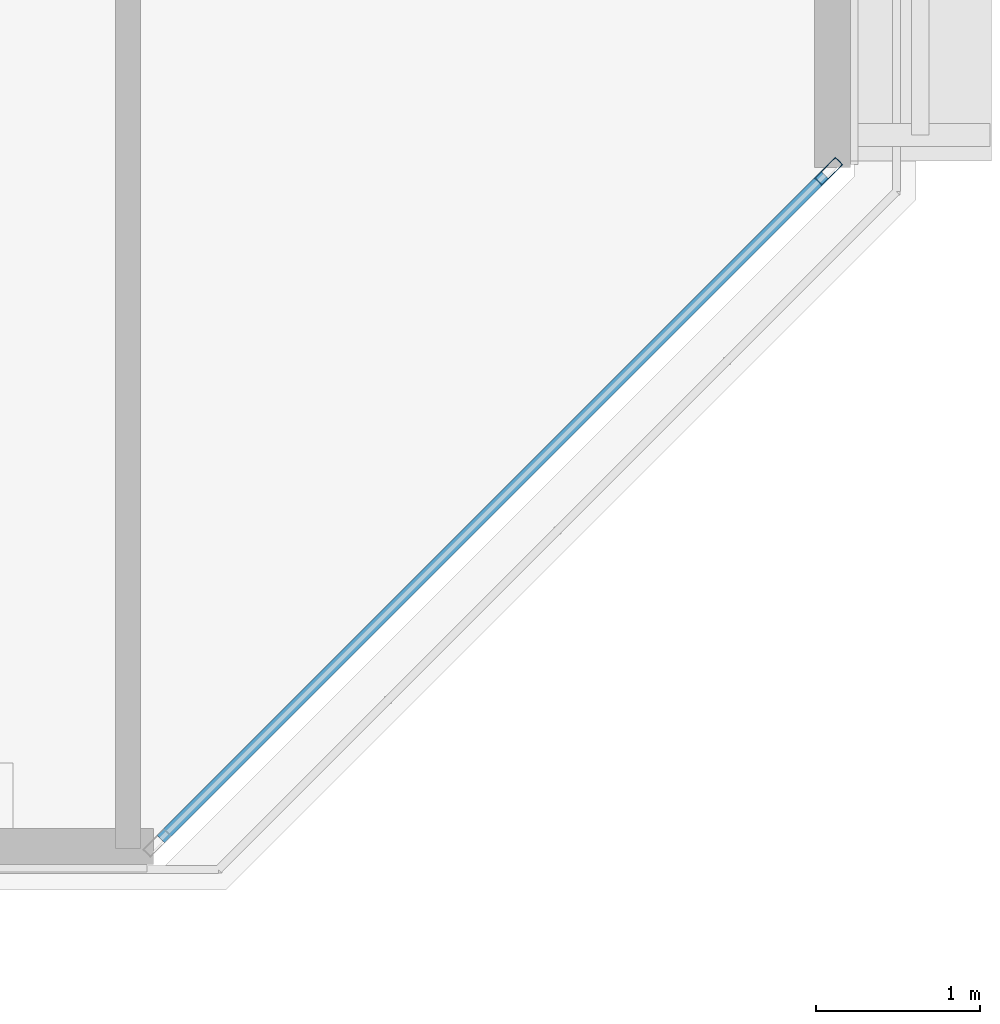
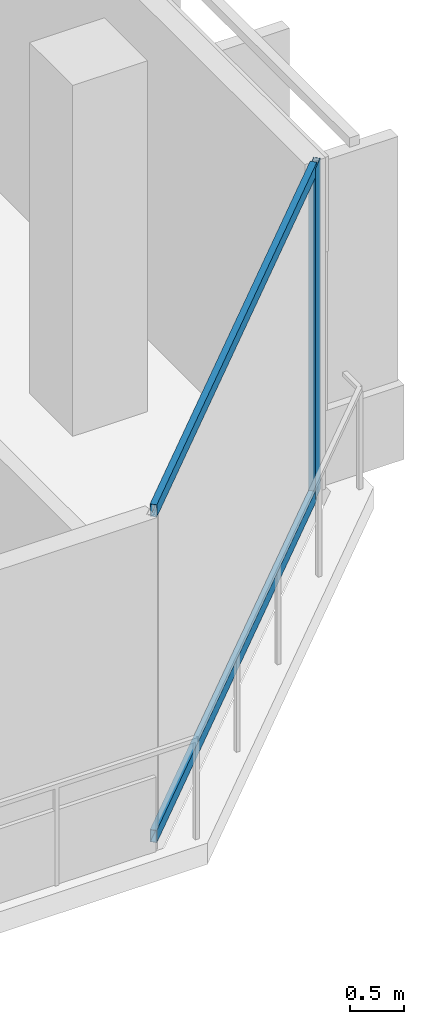
# One storey, part 15 of 26: 3 members, 1 element without a shape of its own.
"""IFC4 building model written with IfcOpenShell, lengths in metres."""

from ifc_helpers import new_model, si_unit, direction, frame, origin, origin_2d, place, context, subcontext, project, spatial, hollow_rectangle, extrude, material, layer, layer_set, material_profile, profile_set, type_object, element, aggregate, save


model = new_model("IFC4")

# Units and contexts
model_context = context("Model", 3, precision=1e-05, world=origin(), true_north=direction((0.0, 1.0)))
body_context = subcontext(model_context, "Body", "Model", "MODEL_VIEW")
ifc_project = project(units=[si_unit("LENGTHUNIT", "METRE"), si_unit("AREAUNIT", "SQUARE_METRE"), si_unit("VOLUMEUNIT", "CUBIC_METRE"), si_unit("PLANEANGLEUNIT", "RADIAN"), si_unit("MASSUNIT", "GRAM", prefix="KILO")], contexts=[model_context])

# Site, building, storey
site_placement = place(None, origin())
site = spatial("IfcSite", under=ifc_project, at=site_placement, CompositionType="ELEMENT")
building_placement = place(site_placement, origin())
building = spatial("IfcBuilding", under=site, at=building_placement, Name="Tanjung Sevakor Pilgrim Tower", CompositionType="ELEMENT")
storey_placement = place(building_placement, frame((0.0, 0.0, 177.8701171875)))
storey = spatial("IfcBuildingStorey", under=building, at=storey_placement, Name="L49", CompositionType="ELEMENT", Elevation=177.8701171875)

# Curtain wall, members
ifc_material_1 = material(Name="Aluminium 6063-T6 and Low-E Glass", Category="aluminium")
ifc_layer = layer(ifc_material_1, 0.179931640625)
ifc_layer_set = layer_set([ifc_layer], Name="CW-SYS-CHAM")
curtain_wall_type = type_object("IfcCurtainWallType", Name="CW-SYS-CHAM", PredefinedType="NOTDEFINED", material=ifc_layer_set)
curtain_wall_placement = place(storey_placement, origin())
curtain_wall = element("IfcCurtainWall", 1, at=curtain_wall_placement, inside=storey, type_object=curtain_wall_type, Name="L49 Curtain Wall CW-CHM-L49-MAIN-5", PredefinedType="NOTDEFINED")
ifc_material_2 = material(Name="Aluminium 6063-T6", Category="aluminium")
ifc_material_profile_1 = material_profile(ifc_material_2, hollow_rectangle(XDim=0.06494140625, YDim=0.179931640625, WallThickness=0.00390625, at=origin_2d()))
ifc_profile_set_1 = profile_set([ifc_material_profile_1], Name="Aluminium 6063-T6")
member_type_1 = type_object("IfcMemberType", Name="TYPE-CWM-1", PredefinedType="MULLION", material=ifc_profile_set_1)
member_1_placement = place(storey_placement, frame((99.467041015625, 16.272705078125, 0.0), z_axis=(0.0, 0.0, 1.0), x_axis=(-0.707106781187, 0.707106781187, 0.0)))
member_1 = element("IfcMember", 2, at=member_1_placement, type_object=member_type_1, Name="CW-CHM mullion 2", PredefinedType="MULLION", context=body_context, shape_type="SweptSolid", body=[
    extrude(hollow_rectangle(XDim=0.06494140625, YDim=0.179931640625, WallThickness=0.00390625, at=origin_2d()), origin(), (0.0, 0.0, 1.0), 3.739990234375),
])
ifc_material_3 = material(Name="Aluminium 6063-T6", Category="aluminium")
ifc_material_profile_2 = material_profile(ifc_material_3, hollow_rectangle(XDim=0.06494140625, YDim=0.139892578125, WallThickness=0.00390625, at=origin_2d()))
ifc_profile_set_2 = profile_set([ifc_material_profile_2], Name="Aluminium 6063-T6")
member_type_2 = type_object("IfcMemberType", Name="TYPE-CWT-1", PredefinedType="USERDEFINED", material=ifc_profile_set_2)
member_2_placement = place(storey_placement, frame((95.400390625, 12.2060546875, 0.032470703125), z_axis=(0.707106781187, 0.707106781187, 0.0), x_axis=(-0.707106781187, 0.707106781187, 0.0)))
member_2 = element("IfcMember", 3, at=member_2_placement, type_object=member_type_2, Name="CW-CHM transom 1.1", ObjectType="TRANSOM", PredefinedType="USERDEFINED", context=body_context, shape_type="SweptSolid", body=[
    extrude(hollow_rectangle(XDim=0.06494140625, YDim=0.139892578125, WallThickness=0.00390625, at=origin_2d()), origin(), (0.0, 0.0, 1.0), 5.71875),
])
member_3_placement = place(storey_placement, frame((95.400390625, 12.2060546875, 3.707275390625), z_axis=(0.707106781187, 0.707106781187, 0.0), x_axis=(-0.707106781187, 0.707106781187, 0.0)))
member_3 = element("IfcMember", 4, at=member_3_placement, type_object=member_type_2, Name="CW-CHM transom 1.2", ObjectType="TRANSOM", PredefinedType="USERDEFINED", context=body_context, shape_type="SweptSolid", body=[
    extrude(hollow_rectangle(XDim=0.06494140625, YDim=0.139892578125, WallThickness=0.00390625, at=origin_2d()), origin(), (0.0, 0.0, 1.0), 5.71875),
])
aggregate(curtain_wall, [member_1, member_2, member_3])

save(model, "model.ifc")
